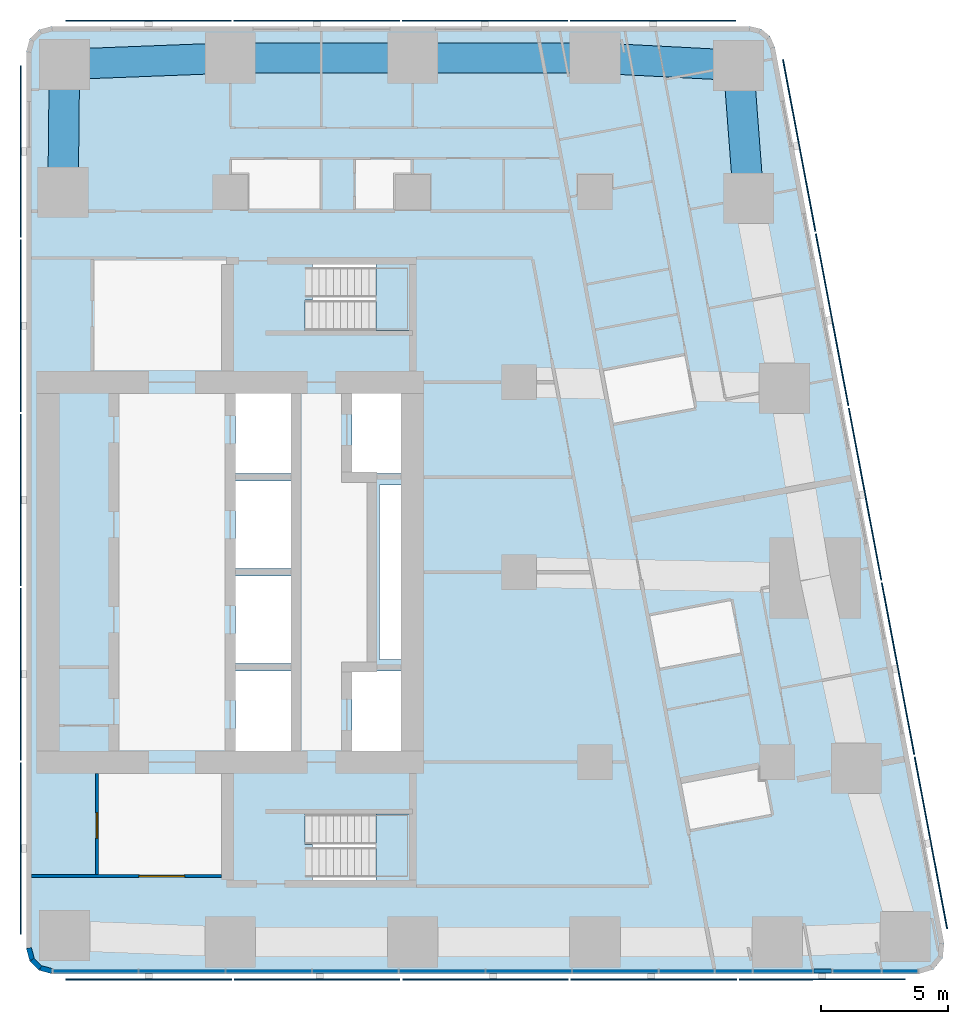
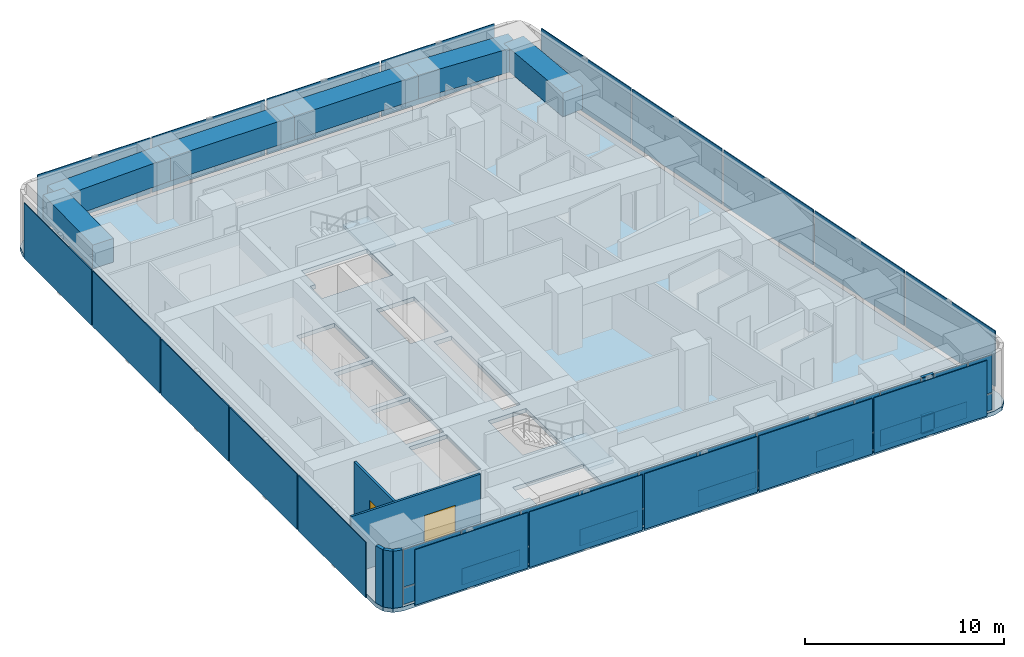
# One storey, part 4 of 11: 45 plates, 6 beams, 5 walls, 3 members, 3 slabs, 2 doors, 2 openings, 3 elements without a shape of their own.
"""IFC4 building model written with IfcOpenShell, lengths in metres."""

from ifc_helpers import new_model, si_unit, direction, frame, frame_2d, origin, origin_2d, place, context, subcontext, project, spatial, polyline, rectangle, outline, extrude, material, layer, layer_set, material_profile, profile_set, type_object, element, fill, aggregate, save


model = new_model("IFC4")

# Units and contexts
model_context = context("Model", 3, precision=1e-05, world=origin(), true_north=direction((0.0, 1.0)))
body_context = subcontext(model_context, "Body", "Model", "MODEL_VIEW")
ifc_project = project(units=[si_unit("LENGTHUNIT", "METRE"), si_unit("AREAUNIT", "SQUARE_METRE"), si_unit("VOLUMEUNIT", "CUBIC_METRE"), si_unit("PLANEANGLEUNIT", "RADIAN"), si_unit("MASSUNIT", "GRAM", prefix="KILO")], contexts=[model_context])

# Site, building, storey
site_placement = place(None, origin())
site = spatial("IfcSite", under=ifc_project, at=site_placement, CompositionType="ELEMENT")
building_placement = place(site_placement, origin())
building = spatial("IfcBuilding", under=site, at=building_placement, Name="Sheger Commons Tower", CompositionType="ELEMENT")
storey_placement = place(building_placement, frame((0.0, 0.0, 270.35009765625)))
storey = spatial("IfcBuildingStorey", under=building, at=storey_placement, Name="L69", CompositionType="ELEMENT", Elevation=270.35009765625)

# Beams
ifc_material_1 = material(Name="Concrete C50/60", Category="concrete")
ifc_material_profile_1 = material_profile(ifc_material_1, rectangle(XDim=1.199951171875, YDim=1.449951171875, at=origin_2d()), Name="RC 1200x1450")
ifc_profile_set_1 = profile_set([ifc_material_profile_1], Name="Concrete C50/60")
beam_type = type_object("IfcBeamType", Name="SPANDREL RC 1200x1450", PredefinedType="SPANDREL", material=ifc_profile_set_1)
beam_1_placement = place(storey_placement, frame((42.06396484375, 37.262939453125, 2.77490234375), z_axis=(-0.075496345854, 0.997146078447, 0.0), x_axis=(-0.997146078447, -0.075496345854, 0.0)))
element("IfcBeam", 1, at=beam_1_placement, inside=storey, type_object=beam_type, Name="Beam E/F-E/G-1.8 under L70", PredefinedType="SPANDREL", context=body_context, shape_type="SweptSolid", body=[
    extrude(rectangle(XDim=1.199951171875, YDim=1.449951171875, at=origin_2d()), origin(), (0.0, 0.0, 1.0), 5.258056640625),
])
beam_2_placement = place(storey_placement, frame((41.6669921875, 42.506103515625, 2.77490234375), z_axis=(-0.998657474351, 0.051800086124, 0.0), x_axis=(-0.051800086124, -0.998657474351, 0.0)))
element("IfcBeam", 2, at=beam_2_placement, inside=storey, type_object=beam_type, Name="Beam E/G-1.8-6/G-1.8 under L70", PredefinedType="SPANDREL", context=body_context, shape_type="SweptSolid", body=[
    extrude(rectangle(XDim=1.199951171875, YDim=1.449951171875, at=origin_2d()), origin(), (0.0, 0.0, 1.0), 5.674560546875),
])
for number, where, z_axis, x_axis, name in (
    (3, (36.0, 42.800048828125, 2.77490234375), (-1.0, 0.0, 0.0), (0.0, -1.0, 0.0), "Beam 6/G-1.8-5/G-1.8 under L70"),
    (4, (28.800048828125, 42.800048828125, 2.77490234375), (-1.0, 0.0, 0.0), (0.0, -1.0, 0.0), "Beam 5/G-1.8-4/G-1.8 under L70"),
):
    element("IfcBeam", number, at=place(storey_placement, frame(where, z_axis=z_axis, x_axis=x_axis)), inside=storey, type_object=beam_type, Name=name, PredefinedType="SPANDREL", context=body_context, shape_type="SweptSolid", body=[
        extrude(rectangle(XDim=1.199951171875, YDim=1.449951171875, at=origin_2d()), origin(), (0.0, 0.0, 1.0), 7.199951171875),
    ])
beam_3_placement = place(storey_placement, frame((21.60009765625, 42.800048828125, 2.77490234375), z_axis=(-0.999247181966, -0.038795223079, 0.0), x_axis=(0.038795223079, -0.999247181966, 0.0)))
element("IfcBeam", 5, at=beam_3_placement, inside=storey, type_object=beam_type, Name="Beam 4/G-1.8-3/G-1.8 under L70", PredefinedType="SPANDREL", context=body_context, shape_type="SweptSolid", body=[
    extrude(rectangle(XDim=1.199951171875, YDim=1.449951171875, at=origin_2d()), origin(), (0.0, 0.0, 1.0), 6.551025390625),
])
beam_4_placement = place(storey_placement, frame((15.053955078125, 42.5458984375, 2.77490234375), z_axis=(-0.010692247282, -0.99994283629, 0.0), x_axis=(0.99994283629, -0.010692247282, 0.0)))
element("IfcBeam", 6, at=beam_4_placement, inside=storey, type_object=beam_type, Name="Beam 3/G-1.8-3/F under L70", PredefinedType="SPANDREL", context=body_context, shape_type="SweptSolid", body=[
    extrude(rectangle(XDim=1.199951171875, YDim=1.449951171875, at=origin_2d()), origin(), (0.0, 0.0, 1.0), 5.046142578125),
])

# Curtain wall, members, plates
ifc_material_2 = material(Name="Black aluminium curtain wall, dark tinted glazing", Category="aluminium")
curtain_wall_type = type_object("IfcCurtainWallType", Name="CURTAIN WALL CW5 SOUTH GALLERY", PredefinedType="USERDEFINED", material=ifc_material_2)
curtain_wall_placement = place(storey_placement, origin())
curtain_wall = element("IfcCurtainWall", 7, at=curtain_wall_placement, inside=storey, type_object=curtain_wall_type, Name="Curtain Wall Cw5 South Gallery S1 L69", ObjectType="UNITISED CURTAIN WALL", PredefinedType="USERDEFINED")
ifc_material_3 = material(Name="Black anodised aluminium", Category="aluminium")
ifc_material_profile_2 = material_profile(ifc_material_3, rectangle(XDim=0.14990234375, YDim=0.06494140625, at=origin_2d()), Name="AL 65x150")
ifc_profile_set_2 = profile_set([ifc_material_profile_2], Name="Black anodised aluminium")
member_type = type_object("IfcMemberType", Name="TRANSOM AL 65x150", PredefinedType="USERDEFINED", material=ifc_profile_set_2)
member_1_placement = place(storey_placement, frame((44.638427734375, 6.75, 0.032470703125), z_axis=(1.0, 0.0, 0.0), x_axis=(0.0, 1.0, 0.0)))
member_1 = element("IfcMember", 8, at=member_1_placement, type_object=member_type, Name="CW5 transom 11.1", ObjectType="TRANSOM", PredefinedType="USERDEFINED", context=body_context, shape_type="SweptSolid", body=[
    extrude(rectangle(XDim=0.14990234375, YDim=0.06494140625, at=origin_2d()), origin(), (0.0, 0.0, 1.0), 0.694091796875),
])
member_2_placement = place(storey_placement, frame((44.638427734375, 6.75, 1.099853515625), z_axis=(1.0, 0.0, 0.0), x_axis=(0.0, 1.0, 0.0)))
member_2 = element("IfcMember", 9, at=member_2_placement, type_object=member_type, Name="CW5 transom 11.2", ObjectType="TRANSOM", PredefinedType="USERDEFINED", context=body_context, shape_type="SweptSolid", body=[
    extrude(rectangle(XDim=0.14990234375, YDim=0.06494140625, at=origin_2d()), origin(), (0.0, 0.0, 1.0), 0.694091796875),
])
member_3_placement = place(storey_placement, frame((44.638427734375, 6.75, 3.46728515625), z_axis=(1.0, 0.0, 0.0), x_axis=(0.0, 1.0, 0.0)))
member_3 = element("IfcMember", 10, at=member_3_placement, type_object=member_type, Name="CW5 transom 11.3", ObjectType="TRANSOM", PredefinedType="USERDEFINED", context=body_context, shape_type="SweptSolid", body=[
    extrude(rectangle(XDim=0.14990234375, YDim=0.06494140625, at=origin_2d()), origin(), (0.0, 0.0, 1.0), 0.694091796875),
])
ifc_material_4 = material(Name="Dark tinted double glazing", Category="glass")
ifc_layer_1 = layer(ifc_material_4, 0.031982421875)
ifc_layer_set_1 = layer_set([ifc_layer_1], Name="GLAZED PANEL 32")
plate_type_1 = type_object("IfcPlateType", Name="GLAZED PANEL 32", PredefinedType="CURTAIN_PANEL", material=ifc_layer_set_1)
plate_1_placement = place(storey_placement, frame((16.290283203125, 6.75, 0.06494140625), z_axis=(0.0, 0.0, 1.0), x_axis=(1.0, 0.0, 0.0)))
plate_1 = element("IfcPlate", 11, at=plate_1_placement, type_object=plate_type_1, Name="CW5 panel 1.1", PredefinedType="CURTAIN_PANEL", context=body_context, shape_type="SweptSolid", body=[
    extrude(rectangle(XDim=3.324462890625, YDim=0.031982421875, at=origin_2d()), origin(), (0.0, 0.0, 1.0), 1.00244140625),
])
plate_2_placement = place(storey_placement, frame((16.290283203125, 6.75, 1.13232421875), z_axis=(0.0, 0.0, 1.0), x_axis=(1.0, 0.0, 0.0)))
plate_2 = element("IfcPlate", 12, at=plate_2_placement, type_object=plate_type_1, Name="CW5 panel 1.2", PredefinedType="CURTAIN_PANEL", context=body_context, shape_type="SweptSolid", body=[
    extrude(rectangle(XDim=3.324462890625, YDim=0.031982421875, at=origin_2d()), origin(), (0.0, 0.0, 1.0), 2.302490234375),
])
plate_3_placement = place(storey_placement, frame((19.696533203125, 6.75, 0.06494140625), z_axis=(0.0, 0.0, 1.0), x_axis=(1.0, 0.0, 0.0)))
plate_3 = element("IfcPlate", 13, at=plate_3_placement, type_object=plate_type_1, Name="CW5 panel 2.1", PredefinedType="CURTAIN_PANEL", context=body_context, shape_type="SweptSolid", body=[
    extrude(rectangle(XDim=3.35791015625, YDim=0.031982421875, at=origin_2d()), origin(), (0.0, 0.0, 1.0), 1.00244140625),
])
plate_4_placement = place(storey_placement, frame((19.696533203125, 6.75, 1.13232421875), z_axis=(0.0, 0.0, 1.0), x_axis=(1.0, 0.0, 0.0)))
plate_4 = element("IfcPlate", 14, at=plate_4_placement, type_object=plate_type_1, Name="CW5 panel 2.2", PredefinedType="CURTAIN_PANEL", context=body_context, shape_type="SweptSolid", body=[
    extrude(rectangle(XDim=3.35791015625, YDim=0.031982421875, at=origin_2d()), origin(), (0.0, 0.0, 1.0), 2.302490234375),
])
plate_5_placement = place(storey_placement, frame((23.118896484375, 6.75, 0.06494140625), z_axis=(0.0, 0.0, 1.0), x_axis=(1.0, 0.0, 0.0)))
plate_5 = element("IfcPlate", 15, at=plate_5_placement, type_object=plate_type_1, Name="CW5 panel 3.1", PredefinedType="CURTAIN_PANEL", context=body_context, shape_type="SweptSolid", body=[
    extrude(rectangle(XDim=3.35693359375, YDim=0.031982421875, at=origin_2d()), origin(), (0.0, 0.0, 1.0), 1.00244140625),
])
plate_6_placement = place(storey_placement, frame((23.118896484375, 6.75, 1.13232421875), z_axis=(0.0, 0.0, 1.0), x_axis=(1.0, 0.0, 0.0)))
plate_6 = element("IfcPlate", 16, at=plate_6_placement, type_object=plate_type_1, Name="CW5 panel 3.2", PredefinedType="CURTAIN_PANEL", context=body_context, shape_type="SweptSolid", body=[
    extrude(rectangle(XDim=3.35693359375, YDim=0.031982421875, at=origin_2d()), origin(), (0.0, 0.0, 1.0), 2.302490234375),
])
plate_7_placement = place(storey_placement, frame((26.54150390625, 6.75, 0.06494140625), z_axis=(0.0, 0.0, 1.0), x_axis=(1.0, 0.0, 0.0)))
plate_7 = element("IfcPlate", 17, at=plate_7_placement, type_object=plate_type_1, Name="CW5 panel 4.1", PredefinedType="CURTAIN_PANEL", context=body_context, shape_type="SweptSolid", body=[
    extrude(rectangle(XDim=3.35791015625, YDim=0.031982421875, at=origin_2d()), origin(), (0.0, 0.0, 1.0), 1.00244140625),
])
plate_8_placement = place(storey_placement, frame((26.54150390625, 6.75, 1.13232421875), z_axis=(0.0, 0.0, 1.0), x_axis=(1.0, 0.0, 0.0)))
plate_8 = element("IfcPlate", 18, at=plate_8_placement, type_object=plate_type_1, Name="CW5 panel 4.2", PredefinedType="CURTAIN_PANEL", context=body_context, shape_type="SweptSolid", body=[
    extrude(rectangle(XDim=3.35791015625, YDim=0.031982421875, at=origin_2d()), origin(), (0.0, 0.0, 1.0), 2.302490234375),
])
plate_9_placement = place(storey_placement, frame((29.964111328125, 6.75, 0.06494140625), z_axis=(0.0, 0.0, 1.0), x_axis=(1.0, 0.0, 0.0)))
plate_9 = element("IfcPlate", 19, at=plate_9_placement, type_object=plate_type_1, Name="CW5 panel 5.1", PredefinedType="CURTAIN_PANEL", context=body_context, shape_type="SweptSolid", body=[
    extrude(rectangle(XDim=3.35693359375, YDim=0.031982421875, at=origin_2d()), origin(), (0.0, 0.0, 1.0), 1.00244140625),
])
plate_10_placement = place(storey_placement, frame((29.964111328125, 6.75, 1.13232421875), z_axis=(0.0, 0.0, 1.0), x_axis=(1.0, 0.0, 0.0)))
plate_10 = element("IfcPlate", 20, at=plate_10_placement, type_object=plate_type_1, Name="CW5 panel 5.2", PredefinedType="CURTAIN_PANEL", context=body_context, shape_type="SweptSolid", body=[
    extrude(rectangle(XDim=3.35693359375, YDim=0.031982421875, at=origin_2d()), origin(), (0.0, 0.0, 1.0), 2.302490234375),
])
plate_11_placement = place(storey_placement, frame((33.385986328125, 6.75, 0.06494140625), z_axis=(0.0, 0.0, 1.0), x_axis=(1.0, 0.0, 0.0)))
plate_11 = element("IfcPlate", 21, at=plate_11_placement, type_object=plate_type_1, Name="CW5 panel 6.1", PredefinedType="CURTAIN_PANEL", context=body_context, shape_type="SweptSolid", body=[
    extrude(rectangle(XDim=3.35693359375, YDim=0.031982421875, at=origin_2d()), origin(), (0.0, 0.0, 1.0), 1.00244140625),
])
plate_12_placement = place(storey_placement, frame((33.385986328125, 6.75, 1.13232421875), z_axis=(0.0, 0.0, 1.0), x_axis=(1.0, 0.0, 0.0)))
plate_12 = element("IfcPlate", 22, at=plate_12_placement, type_object=plate_type_1, Name="CW5 panel 6.2", PredefinedType="CURTAIN_PANEL", context=body_context, shape_type="SweptSolid", body=[
    extrude(rectangle(XDim=3.35693359375, YDim=0.031982421875, at=origin_2d()), origin(), (0.0, 0.0, 1.0), 2.302490234375),
])
plate_13_placement = place(storey_placement, frame((36.80859375, 6.75, 0.06494140625), z_axis=(0.0, 0.0, 1.0), x_axis=(1.0, 0.0, 0.0)))
plate_13 = element("IfcPlate", 23, at=plate_13_placement, type_object=plate_type_1, Name="CW5 panel 7.1", PredefinedType="CURTAIN_PANEL", context=body_context, shape_type="SweptSolid", body=[
    extrude(rectangle(XDim=3.35791015625, YDim=0.031982421875, at=origin_2d()), origin(), (0.0, 0.0, 1.0), 1.00244140625),
])
plate_14_placement = place(storey_placement, frame((36.80859375, 6.75, 1.13232421875), z_axis=(0.0, 0.0, 1.0), x_axis=(1.0, 0.0, 0.0)))
plate_14 = element("IfcPlate", 24, at=plate_14_placement, type_object=plate_type_1, Name="CW5 panel 7.2", PredefinedType="CURTAIN_PANEL", context=body_context, shape_type="SweptSolid", body=[
    extrude(rectangle(XDim=3.35791015625, YDim=0.031982421875, at=origin_2d()), origin(), (0.0, 0.0, 1.0), 2.302490234375),
])
plate_15_placement = place(storey_placement, frame((39.62451171875, 6.75, 0.06494140625), z_axis=(0.0, 0.0, 1.0), x_axis=(1.0, 0.0, 0.0)))
plate_15 = element("IfcPlate", 25, at=plate_15_placement, type_object=plate_type_1, Name="CW5 panel 8.1", PredefinedType="CURTAIN_PANEL", context=body_context, shape_type="SweptSolid", body=[
    extrude(rectangle(XDim=2.14404296875, YDim=0.031982421875, at=origin_2d()), origin(), (0.0, 0.0, 1.0), 1.00244140625),
])
plate_16_placement = place(storey_placement, frame((39.62451171875, 6.75, 1.13232421875), z_axis=(0.0, 0.0, 1.0), x_axis=(1.0, 0.0, 0.0)))
plate_16 = element("IfcPlate", 26, at=plate_16_placement, type_object=plate_type_1, Name="CW5 panel 8.2", PredefinedType="CURTAIN_PANEL", context=body_context, shape_type="SweptSolid", body=[
    extrude(rectangle(XDim=2.14404296875, YDim=0.031982421875, at=origin_2d()), origin(), (0.0, 0.0, 1.0), 2.302490234375),
])
plate_17_placement = place(storey_placement, frame((41.478515625, 6.75, 0.06494140625), z_axis=(0.0, 0.0, 1.0), x_axis=(1.0, 0.0, 0.0)))
plate_17 = element("IfcPlate", 27, at=plate_17_placement, type_object=plate_type_1, Name="CW5 panel 9.1", PredefinedType="CURTAIN_PANEL", context=body_context, shape_type="SweptSolid", body=[
    extrude(rectangle(XDim=1.43408203125, YDim=0.031982421875, at=origin_2d()), origin(), (0.0, 0.0, 1.0), 1.00244140625),
])
plate_18_placement = place(storey_placement, frame((41.478515625, 6.75, 1.13232421875), z_axis=(0.0, 0.0, 1.0), x_axis=(1.0, 0.0, 0.0)))
plate_18 = element("IfcPlate", 28, at=plate_18_placement, type_object=plate_type_1, Name="CW5 panel 9.2", PredefinedType="CURTAIN_PANEL", context=body_context, shape_type="SweptSolid", body=[
    extrude(rectangle(XDim=1.43408203125, YDim=0.031982421875, at=origin_2d()), origin(), (0.0, 0.0, 1.0), 2.302490234375),
])
plate_19_placement = place(storey_placement, frame((43.4169921875, 6.75, 0.06494140625), z_axis=(0.0, 0.0, 1.0), x_axis=(1.0, 0.0, 0.0)))
plate_19 = element("IfcPlate", 29, at=plate_19_placement, type_object=plate_type_1, Name="CW5 panel 10.1", PredefinedType="CURTAIN_PANEL", context=body_context, shape_type="SweptSolid", body=[
    extrude(rectangle(XDim=2.31298828125, YDim=0.031982421875, at=origin_2d()), origin(), (0.0, 0.0, 1.0), 1.00244140625),
])
plate_20_placement = place(storey_placement, frame((43.4169921875, 6.75, 1.13232421875), z_axis=(0.0, 0.0, 1.0), x_axis=(1.0, 0.0, 0.0)))
plate_20 = element("IfcPlate", 30, at=plate_20_placement, type_object=plate_type_1, Name="CW5 panel 10.2", PredefinedType="CURTAIN_PANEL", context=body_context, shape_type="SweptSolid", body=[
    extrude(rectangle(XDim=2.31298828125, YDim=0.031982421875, at=origin_2d()), origin(), (0.0, 0.0, 1.0), 2.302490234375),
])
plate_21_placement = place(storey_placement, frame((44.985595703125, 6.75, 0.06494140625), z_axis=(0.0, 0.0, 1.0), x_axis=(1.0, 0.0, 0.0)))
plate_21 = element("IfcPlate", 31, at=plate_21_placement, type_object=plate_type_1, Name="CW5 panel 11.1", PredefinedType="CURTAIN_PANEL", context=body_context, shape_type="SweptSolid", body=[
    extrude(rectangle(XDim=0.694091796875, YDim=0.031982421875, at=origin_2d()), origin(), (0.0, 0.0, 1.0), 1.00244140625),
])
plate_22_placement = place(storey_placement, frame((44.985595703125, 6.75, 1.13232421875), z_axis=(0.0, 0.0, 1.0), x_axis=(1.0, 0.0, 0.0)))
plate_22 = element("IfcPlate", 32, at=plate_22_placement, type_object=plate_type_1, Name="CW5 panel 11.2", PredefinedType="CURTAIN_PANEL", context=body_context, shape_type="SweptSolid", body=[
    extrude(rectangle(XDim=0.694091796875, YDim=0.031982421875, at=origin_2d()), origin(), (0.0, 0.0, 1.0), 2.302490234375),
])
plate_23_placement = place(storey_placement, frame((46.342041015625, 6.75, 0.06494140625), z_axis=(0.0, 0.0, 1.0), x_axis=(1.0, 0.0, 0.0)))
plate_23 = element("IfcPlate", 33, at=plate_23_placement, type_object=plate_type_1, Name="CW5 panel 12.1", PredefinedType="CURTAIN_PANEL", context=body_context, shape_type="SweptSolid", body=[
    extrude(rectangle(XDim=1.888916015625, YDim=0.031982421875, at=origin_2d()), origin(), (0.0, 0.0, 1.0), 1.00244140625),
])
plate_24_placement = place(storey_placement, frame((46.342041015625, 6.75, 1.13232421875), z_axis=(0.0, 0.0, 1.0), x_axis=(1.0, 0.0, 0.0)))
plate_24 = element("IfcPlate", 34, at=plate_24_placement, type_object=plate_type_1, Name="CW5 panel 12.2", PredefinedType="CURTAIN_PANEL", context=body_context, shape_type="SweptSolid", body=[
    extrude(rectangle(XDim=1.888916015625, YDim=0.031982421875, at=origin_2d()), origin(), (0.0, 0.0, 1.0), 2.302490234375),
])
plate_25_placement = place(storey_placement, frame((48.036865234375, 6.75, 0.06494140625), z_axis=(0.0, 0.0, 1.0), x_axis=(1.0, 0.0, 0.0)))
plate_25 = element("IfcPlate", 35, at=plate_25_placement, type_object=plate_type_1, Name="CW5 panel 13.1", PredefinedType="CURTAIN_PANEL", context=body_context, shape_type="SweptSolid", body=[
    extrude(rectangle(XDim=1.37060546875, YDim=0.031982421875, at=origin_2d()), origin(), (0.0, 0.0, 1.0), 1.00244140625),
])
plate_26_placement = place(storey_placement, frame((48.036865234375, 6.75, 1.13232421875), z_axis=(0.0, 0.0, 1.0), x_axis=(1.0, 0.0, 0.0)))
plate_26 = element("IfcPlate", 36, at=plate_26_placement, type_object=plate_type_1, Name="CW5 panel 13.2", PredefinedType="CURTAIN_PANEL", context=body_context, shape_type="SweptSolid", body=[
    extrude(rectangle(XDim=1.37060546875, YDim=0.031982421875, at=origin_2d()), origin(), (0.0, 0.0, 1.0), 2.302490234375),
])
aggregate(curtain_wall, [plate_1, plate_2, plate_3, plate_4, plate_5, plate_6, plate_7, plate_8, plate_9, plate_10, plate_11, plate_12, plate_13, plate_14, plate_15, plate_16, plate_17, plate_18, plate_19, plate_20, member_1, member_2, member_3, plate_21, plate_22, plate_23, plate_24, plate_25, plate_26])

# Slab
ifc_material_5 = material(Name="Concrete C35/45", Category="concrete")
ifc_layer_2 = layer(ifc_material_5, 0.25)
ifc_layer_set_2 = layer_set([ifc_layer_2], Name="SLAB FLOOR 250")
slab_type_1 = type_object("IfcSlabType", Name="SLAB FLOOR 250", PredefinedType="FLOOR", material=ifc_layer_set_2)
slab_1_placement = place(storey_placement, frame((0.0, 0.0, -0.25)))
element("IfcSlab", 37, at=slab_1_placement, inside=storey, type_object=slab_type_1, Name="L69 floor slab", PredefinedType="FLOOR", context=body_context, shape_type="SweptSolid", body=[
    extrude(outline(polyline([(13.550048828125, 7.64990234375), (13.68408203125, 7.14990234375), (14.050048828125, 6.783935546875), (14.550048828125, 6.64990234375), (48.802001953125, 6.64990234375), (49.35498046875, 6.81689453125), (49.72412109375, 7.260986328125), (49.784912109375, 7.8359375), (43.097900390625, 43.236083984375), (42.912109375, 43.654052734375), (42.56005859375, 43.945068359375), (42.114990234375, 44.050048828125), (14.550048828125, 44.050048828125), (14.050048828125, 43.916015625), (13.68408203125, 43.550048828125), (13.550048828125, 43.050048828125), (13.550048828125, 7.64990234375)]), holes=[polyline([(24.85009765625, 10.35009765625), (28.64990234375, 10.35009765625), (28.64990234375, 12.949951171875), (24.551025390625, 12.949951171875), (24.551025390625, 11.75), (24.85009765625, 11.75), (24.85009765625, 10.35009765625)]), polyline([(24.551025390625, 32.050048828125), (28.64990234375, 32.050048828125), (28.64990234375, 34.64990234375), (24.85009765625, 34.64990234375), (24.85009765625, 33.25), (24.551025390625, 33.25), (24.551025390625, 32.050048828125)]), polyline([(26.39990234375, 15.14990234375), (28.60009765625, 15.14990234375), (28.60009765625, 18.60009765625), (26.39990234375, 18.60009765625), (26.39990234375, 15.14990234375)]), polyline([(26.39990234375, 26.39990234375), (28.60009765625, 26.39990234375), (28.60009765625, 29.85009765625), (26.39990234375, 29.85009765625), (26.39990234375, 26.39990234375)]), polyline([(21.800048828125, 15.14990234375), (24.0, 15.14990234375), (24.0, 18.60009765625), (21.800048828125, 18.60009765625), (21.800048828125, 15.14990234375)]), polyline([(21.800048828125, 18.89990234375), (24.0, 18.89990234375), (24.0, 22.35009765625), (21.800048828125, 22.35009765625), (21.800048828125, 18.89990234375)]), polyline([(21.800048828125, 22.64990234375), (24.0, 22.64990234375), (24.0, 26.10009765625), (21.800048828125, 26.10009765625), (21.800048828125, 22.64990234375)]), polyline([(21.800048828125, 26.39990234375), (24.0, 26.39990234375), (24.0, 29.85009765625), (21.800048828125, 29.85009765625), (21.800048828125, 26.39990234375)]), polyline([(27.5, 19.050048828125), (28.5, 19.050048828125), (28.5, 25.949951171875), (27.5, 25.949951171875), (27.5, 19.050048828125)])]), origin(), (0.0, 0.0, 1.0), 0.25),
])

# Plates
ifc_material_6 = material(Name="Perforated black anodised aluminium screen", Category="aluminium")
ifc_layer_3 = layer(ifc_material_6, 0.050048828125)
ifc_layer_set_3 = layer_set([ifc_layer_3], Name="SOLAR SCREEN SCREEN-1")
plate_type_2 = type_object("IfcPlateType", Name="SOLAR SCREEN SCREEN-1", PredefinedType="USERDEFINED", material=ifc_layer_set_3)
for number, where, z_axis, x_axis, name in (
    (38, (18.375, 6.425048828125, 0.050048828125), (0.0, 0.0, 1.0), (1.0, 0.0, 0.0), "Perforated solar screen panel"),
    (39, (25.02587890625, 6.425048828125, 0.050048828125), (0.0, 0.0, 1.0), (1.0, 0.0, 0.0), "Perforated solar screen panel"),
    (40, (31.676025390625, 6.425048828125, 0.050048828125), (0.0, 0.0, 1.0), (1.0, 0.0, 0.0), "Perforated solar screen panel"),
    (41, (38.325927734375, 6.425048828125, 0.050048828125), (0.0, 0.0, 1.0), (1.0, 0.0, 0.0), "Perforated solar screen panel"),
    (42, (44.97705078125, 6.425048828125, 0.050048828125), (0.0, 0.0, 1.0), (1.0, 0.0, 0.0), "Perforated solar screen panel"),
):
    element("IfcPlate", number, at=place(storey_placement, frame(where, z_axis=z_axis, x_axis=x_axis)), inside=storey, type_object=plate_type_2, Name=name, ObjectType="SCREEN", PredefinedType="USERDEFINED", context=body_context, shape_type="SweptSolid", body=[
        extrude(rectangle(XDim=6.550048828125, YDim=0.050048828125, at=origin_2d()), origin(), (0.0, 0.0, 1.0), 3.39990234375),
    ])
for number, where, z_axis, x_axis, name in (
    (43, (49.262939453125, 11.81103515625, 0.050048828125), (0.0, 0.0, 1.0), (-0.185615165645, 0.982622516678, 0.0), "Perforated solar screen panel"),
    (44, (47.962890625, 18.694091796875, 0.050048828125), (0.0, 0.0, 1.0), (-0.185615165645, 0.982622516678, 0.0), "Perforated solar screen panel"),
    (45, (46.6630859375, 25.577880859375, 0.050048828125), (0.0, 0.0, 1.0), (-0.185615165645, 0.982622516678, 0.0), "Perforated solar screen panel"),
    (46, (45.362060546875, 32.4609375, 0.050048828125), (0.0, 0.0, 1.0), (-0.185615165645, 0.982622516678, 0.0), "Perforated solar screen panel"),
    (47, (44.06201171875, 39.344970703125, 0.050048828125), (0.0, 0.0, 1.0), (-0.185615165645, 0.982622516678, 0.0), "Perforated solar screen panel"),
):
    element("IfcPlate", number, at=place(storey_placement, frame(where, z_axis=z_axis, x_axis=x_axis)), inside=storey, type_object=plate_type_2, Name=name, ObjectType="SCREEN", PredefinedType="USERDEFINED", context=body_context, shape_type="SweptSolid", body=[
        extrude(rectangle(XDim=6.905029296875, YDim=0.050048828125, at=origin_2d()), origin(), (0.0, 0.0, 1.0), 3.39990234375),
    ])
for number, where, z_axis, x_axis, name in (
    (48, (38.2939453125, 44.27490234375, 0.050048828125), (0.0, 0.0, 1.0), (-1.0, 0.0, 0.0), "Perforated solar screen panel"),
    (49, (31.653076171875, 44.27490234375, 0.050048828125), (0.0, 0.0, 1.0), (-1.0, 0.0, 0.0), "Perforated solar screen panel"),
    (50, (25.011962890625, 44.27490234375, 0.050048828125), (0.0, 0.0, 1.0), (-1.0, 0.0, 0.0), "Perforated solar screen panel"),
    (51, (18.37109375, 44.27490234375, 0.050048828125), (0.0, 0.0, 1.0), (-1.0, 0.0, 0.0), "Perforated solar screen panel"),
):
    element("IfcPlate", number, at=place(storey_placement, frame(where, z_axis=z_axis, x_axis=x_axis)), inside=storey, type_object=plate_type_2, Name=name, ObjectType="SCREEN", PredefinedType="USERDEFINED", context=body_context, shape_type="SweptSolid", body=[
        extrude(rectangle(XDim=6.541015625, YDim=0.050048828125, at=origin_2d()), origin(), (0.0, 0.0, 1.0), 3.39990234375),
    ])
for number, where, z_axis, x_axis, name in (
    (52, (13.324951171875, 39.110107421875, 0.050048828125), (0.0, 0.0, 1.0), (0.0, -1.0, 0.0), "Perforated solar screen panel"),
    (53, (13.324951171875, 32.22998046875, 0.050048828125), (0.0, 0.0, 1.0), (0.0, -1.0, 0.0), "Perforated solar screen panel"),
    (54, (13.324951171875, 25.35009765625, 0.050048828125), (0.0, 0.0, 1.0), (0.0, -1.0, 0.0), "Perforated solar screen panel"),
    (55, (13.324951171875, 18.469970703125, 0.050048828125), (0.0, 0.0, 1.0), (0.0, -1.0, 0.0), "Perforated solar screen panel"),
    (56, (13.324951171875, 11.590087890625, 0.050048828125), (0.0, 0.0, 1.0), (0.0, -1.0, 0.0), "Perforated solar screen panel"),
):
    element("IfcPlate", number, at=place(storey_placement, frame(where, z_axis=z_axis, x_axis=x_axis)), inside=storey, type_object=plate_type_2, Name=name, ObjectType="SCREEN", PredefinedType="USERDEFINED", context=body_context, shape_type="SweptSolid", body=[
        extrude(rectangle(XDim=6.780029296875, YDim=0.050048828125, at=origin_2d()), origin(), (0.0, 0.0, 1.0), 3.39990234375),
    ])

# Stair, slab
ifc_material_7 = material(Name="Concrete C35/45", Category="concrete")
stair_type = type_object("IfcStairType", Name="HALF-TURN STAIR 1200 RISE 3750", PredefinedType="HALF_TURN_STAIR", material=ifc_material_7)
stair_1_placement = place(storey_placement, origin())
stair_1 = element("IfcStair", 57, at=stair_1_placement, inside=storey, type_object=stair_type, Name="Stair S1 L69", PredefinedType="HALF_TURN_STAIR")
ifc_material_8 = material(Name="Concrete C35/45", Category="concrete")
ifc_layer_4 = layer(ifc_material_8, 0.199951171875)
ifc_layer_set_4 = layer_set([ifc_layer_4], Name="STAIR LANDING 200")
slab_type_2 = type_object("IfcSlabType", Name="STAIR LANDING 200", PredefinedType="LANDING", material=ifc_layer_set_4)
slab_2_placement = place(storey_placement, frame((0.0, 0.0, 1.6748046875)))
slab_2 = element("IfcSlab", 58, at=slab_2_placement, type_object=slab_type_2, Name="S1 landing 1", PredefinedType="LANDING", context=body_context, shape_type="SweptSolid", body=[
    extrude(outline(polyline([(27.35009765625, 10.199951171875), (28.800048828125, 10.199951171875), (28.800048828125, 12.949951171875), (27.35009765625, 12.949951171875), (27.35009765625, 10.199951171875)])), origin(), (0.0, 0.0, 1.0), 0.2001953125),
])
aggregate(stair_1, [slab_2])

stair_2_placement = place(storey_placement, origin())
stair_2 = element("IfcStair", 59, at=stair_2_placement, inside=storey, type_object=stair_type, Name="Stair S2 L69", PredefinedType="HALF_TURN_STAIR")
slab_3_placement = place(storey_placement, frame((0.0, 0.0, 1.6748046875)))
slab_3 = element("IfcSlab", 60, at=slab_3_placement, type_object=slab_type_2, Name="S2 landing 1", PredefinedType="LANDING", context=body_context, shape_type="SweptSolid", body=[
    extrude(outline(polyline([(27.35009765625, 32.050048828125), (28.800048828125, 32.050048828125), (28.800048828125, 34.800048828125), (27.35009765625, 34.800048828125), (27.35009765625, 32.050048828125)])), origin(), (0.0, 0.0, 1.0), 0.2001953125),
])
aggregate(stair_2, [slab_3])

# Walls
ifc_material_9 = material(Name="Rendered concrete block masonry, dark grey", Category="masonry")
ifc_layer_5 = layer(ifc_material_9, 0.199951171875)
ifc_layer_set_5 = layer_set([ifc_layer_5], Name="FACADE WALL 200")
wall_type_1 = type_object("IfcWallType", Name="FACADE WALL 200", PredefinedType="SOLIDWALL", material=ifc_layer_set_5)
wall_1_placement = place(storey_placement, frame((13.64990234375, 7.6630859375, 0.0), z_axis=(0.0, 0.0, 1.0), x_axis=(0.259698463175, -0.965689757751, 0.0)))
element("IfcWall", 61, at=wall_1_placement, inside=storey, type_object=wall_type_1, Name="Facade wall L69", PredefinedType="SOLIDWALL", context=body_context, shape_type="SweptSolid", body=[
    extrude(rectangle(XDim=0.4775390625, YDim=0.199951171875, at=frame_2d((0.23876953125, 0.0))), origin(), (0.0, 0.0, 1.0), 3.5),
])
wall_2_placement = place(storey_placement, frame((13.77392578125, 7.201904296875, 0.0), z_axis=(0.0, 0.0, 1.0), x_axis=(0.707369890659, -0.706843573776, 0.0)))
element("IfcWall", 62, at=wall_2_placement, inside=storey, type_object=wall_type_1, Name="Facade wall L69", PredefinedType="SOLIDWALL", context=body_context, shape_type="SweptSolid", body=[
    extrude(rectangle(XDim=0.4638671875, YDim=0.199951171875, at=frame_2d((0.23193359375, 0.0))), origin(), (0.0, 0.0, 1.0), 3.5),
])
wall_3_placement = place(storey_placement, frame((14.10205078125, 6.8740234375, 0.0), z_axis=(0.0, 0.0, 1.0), x_axis=(0.965655254015, -0.259826731483, 0.0)))
element("IfcWall", 63, at=wall_3_placement, inside=storey, type_object=wall_type_1, Name="Facade wall L69", PredefinedType="SOLIDWALL", context=body_context, shape_type="SweptSolid", body=[
    extrude(rectangle(XDim=0.477294921875, YDim=0.199951171875, at=frame_2d((0.23876953125, 0.0))), origin(), (0.0, 0.0, 1.0), 3.5),
])

# Wall, opening, door
ifc_material_10 = material(Name="Gypsum board on steel studs, two layers each side, fire rated", Category="steel")
ifc_layer_6 = layer(ifc_material_10, 0.125)
ifc_layer_set_6 = layer_set([ifc_layer_6], Name="SERVICE WALL 125")
wall_type_2 = type_object("IfcWallType", Name="SERVICE WALL 125", PredefinedType="PARTITIONING", material=ifc_layer_set_6)
wall_4_placement = place(storey_placement, frame((13.75, 10.5, 0.0), z_axis=(0.0, 0.0, 1.0), x_axis=(1.0, 0.0, 0.0)))
wall_4 = element("IfcWall", 64, at=wall_4_placement, inside=storey, type_object=wall_type_2, Name="Service room wall L69", PredefinedType="PARTITIONING", context=body_context, shape_type="SweptSolid", body=[
    extrude(rectangle(XDim=7.5, YDim=0.125, at=frame_2d((3.75, 0.0))), origin(), (0.0, 0.0, 1.0), 3.5),
])
opening_1_placement = place(wall_4_placement, frame((4.2451171875, 0.0, 0.0)))
opening_1 = element("IfcOpeningElement", 65, at=opening_1_placement, cuts=wall_4, Name="Opening D6", PredefinedType="OPENING", context=body_context, shape_type="SweptSolid", body=[
    extrude(rectangle(XDim=1.800048828125, YDim=2.10009765625, at=frame_2d((0.89990234375, 1.050048828125))), frame((0.0, 0.072509765625, 0.0), z_axis=(0.0, -1.0, 0.0), x_axis=(1.0, 0.0, 0.0)), (0.0, 0.0, 1.0), 0.14501953125),
])
ifc_material_11 = material(Name="Steel door set, fire rated", Category="steel")
door_type_1 = type_object("IfcDoorType", Name="LOBBY DOUBLE DOOR 1800x2100", OperationType="DOUBLE_DOOR_SINGLE_SWING", PredefinedType="DOOR", material=ifc_material_11)
door_1_placement = place(opening_1_placement, origin())
door_1 = element("IfcDoor", 66, at=door_1_placement, inside=storey, type_object=door_type_1, Name="Lift lobby south door", OperationType="DOUBLE_DOOR_SINGLE_SWING", OverallHeight=2.10009765625, OverallWidth=1.800048828125, PredefinedType="DOOR", context=body_context, shape_type="SweptSolid", body=[
    extrude(rectangle(XDim=1.800048828125, YDim=2.10009765625, at=frame_2d((0.89990234375, 1.050048828125))), frame((0.0, 0.02490234375, 0.0), z_axis=(0.0, -1.0, 0.0), x_axis=(1.0, 0.0, 0.0)), (0.0, 0.0, 1.0), 0.050048828125),
])
fill(opening_1, door_1)

wall_5_placement = place(storey_placement, frame((16.340087890625, 10.56201171875, 0.0), z_axis=(0.0, 0.0, 1.0), x_axis=(0.0, 1.0, 0.0)))
wall_5 = element("IfcWall", 67, at=wall_5_placement, inside=storey, type_object=wall_type_2, Name="Service room wall L69", PredefinedType="PARTITIONING", context=body_context, shape_type="SweptSolid", body=[
    extrude(rectangle(XDim=3.988037109375, YDim=0.125, at=frame_2d((1.994140625, 0.0))), origin(), (0.0, 0.0, 1.0), 3.5),
])
opening_2_placement = place(wall_5_placement, frame((1.43798828125, 0.0, 0.0)))
opening_2 = element("IfcOpeningElement", 68, at=opening_2_placement, cuts=wall_5, Name="Opening D4", PredefinedType="OPENING", context=body_context, shape_type="SweptSolid", body=[
    extrude(rectangle(XDim=1.0, YDim=2.10009765625, at=frame_2d((0.5, 1.050048828125))), frame((0.0, 0.072509765625, 0.0), z_axis=(0.0, -1.0, 0.0), x_axis=(1.0, 0.0, 0.0)), (0.0, 0.0, 1.0), 0.14501953125),
])
ifc_material_12 = material(Name="Steel door set, fire rated", Category="steel")
door_type_2 = type_object("IfcDoorType", Name="SERVICE DOOR 1000x2100", OperationType="NOTDEFINED", PredefinedType="DOOR", material=ifc_material_12)
door_2_placement = place(opening_2_placement, origin())
door_2 = element("IfcDoor", 69, at=door_2_placement, inside=storey, type_object=door_type_2, Name="Electrical room door", OperationType="SINGLE_SWING_LEFT", OverallHeight=2.10009765625, OverallWidth=1.0, PredefinedType="DOOR", context=body_context, shape_type="SweptSolid", body=[
    extrude(rectangle(XDim=1.0, YDim=2.10009765625, at=frame_2d((0.5, 1.050048828125))), frame((0.0, 0.02490234375, 0.0), z_axis=(0.0, -1.0, 0.0), x_axis=(1.0, 0.0, 0.0)), (0.0, 0.0, 1.0), 0.050048828125),
])
fill(opening_2, door_2)

save(model, "model.ifc")
